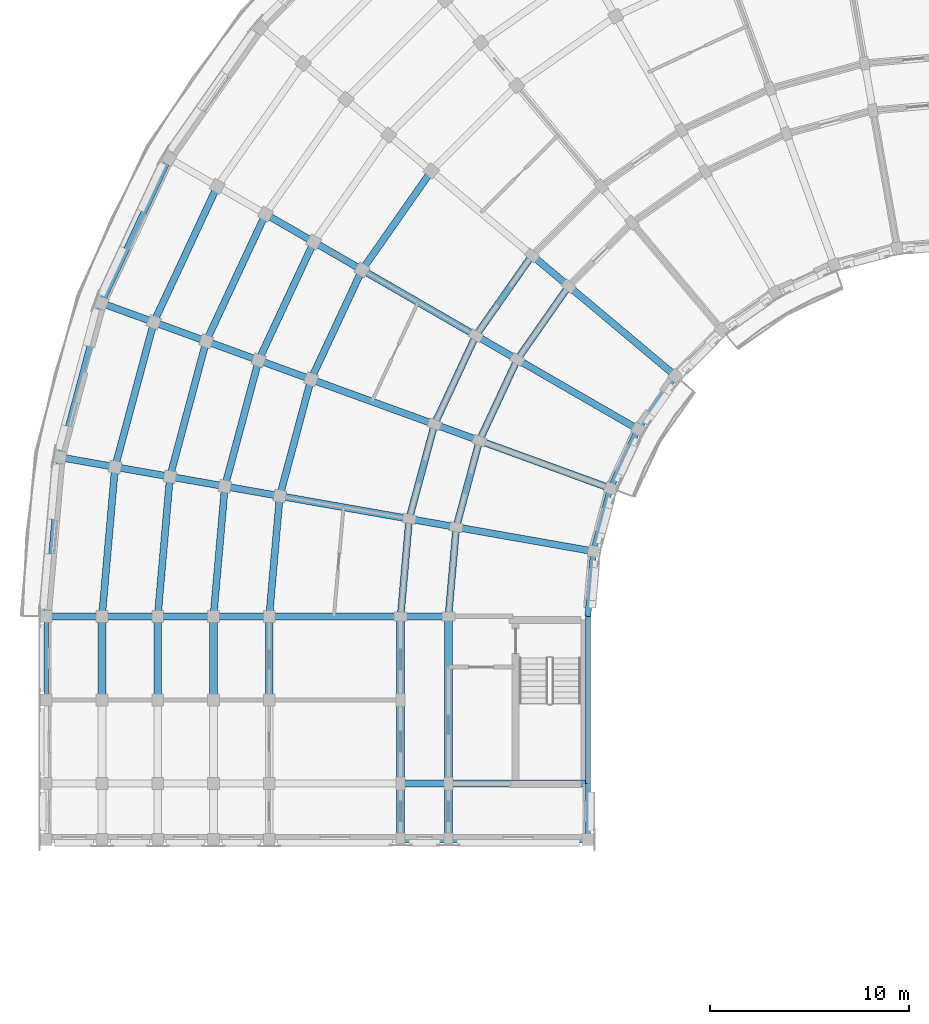
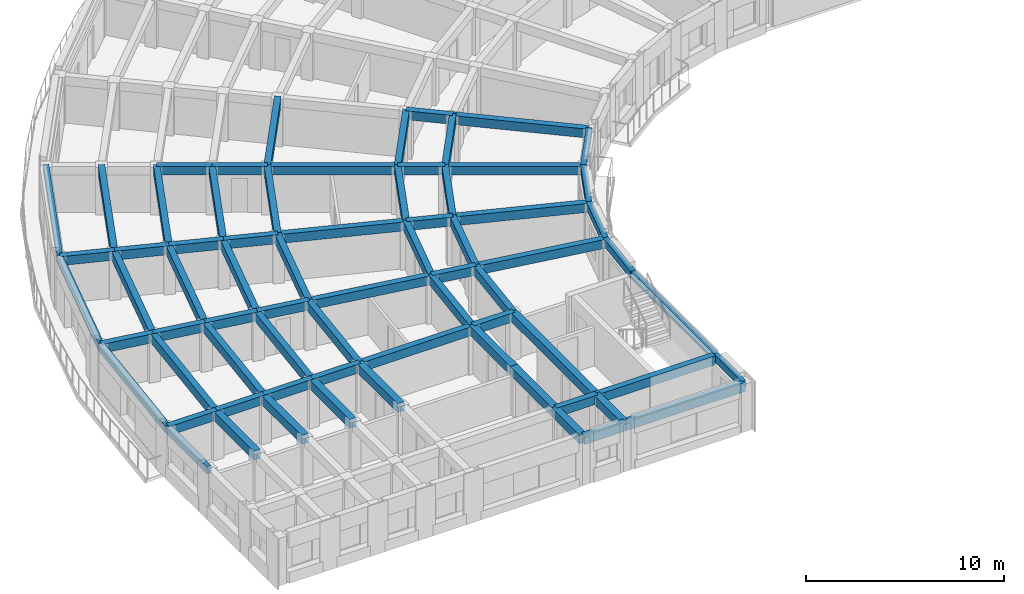
# One storey, part 4 of 41: 71 beams.
"""IFC4 building model written with IfcOpenShell, lengths in metres."""

from ifc_helpers import new_model, si_unit, direction, frame, origin, origin_2d, place, context, subcontext, project, spatial, rectangle, extrude, material, material_profile, profile_set, type_object, element, save


model = new_model("IFC4")

# Units and contexts
model_context = context("Model", 3, precision=1e-05, world=origin(), true_north=direction((0.0, 1.0)))
body_context = subcontext(model_context, "Body", "Model", "MODEL_VIEW")
ifc_project = project(units=[si_unit("LENGTHUNIT", "METRE"), si_unit("AREAUNIT", "SQUARE_METRE"), si_unit("VOLUMEUNIT", "CUBIC_METRE"), si_unit("PLANEANGLEUNIT", "RADIAN"), si_unit("MASSUNIT", "GRAM", prefix="KILO")], contexts=[model_context])

# Site, building, storey
site_placement = place(None, origin())
site = spatial("IfcSite", under=ifc_project, at=site_placement, CompositionType="ELEMENT")
building_placement = place(site_placement, origin())
building = spatial("IfcBuilding", under=site, at=building_placement, Name="Kiranvali Square Residences", CompositionType="ELEMENT")
storey_placement = place(building_placement, frame((0.0, 0.0, 33.89990234375)))
storey = spatial("IfcBuildingStorey", under=building, at=storey_placement, Name="L10", CompositionType="ELEMENT", Elevation=33.89990234375)

# Beams
ifc_material_1 = material(Name="Concrete M40 (40 MPa)", Category="concrete")
ifc_material_profile_1 = material_profile(ifc_material_1, rectangle(XDim=0.35009765625, YDim=0.550048828125, at=origin_2d()), Name="RC 350x550")
ifc_profile_set_1 = profile_set([ifc_material_profile_1], Name="Concrete M40 (40 MPa)")
beam_type_1 = type_object("IfcBeamType", Name="BM-M40-350x550", PredefinedType="BEAM", material=ifc_profile_set_1)
beam_1_placement = place(storey_placement, frame((28.43603515625, 104.384033203125, 2.655029296875), z_axis=(-0.573571637217, -0.819155404658, 0.0), x_axis=(0.819155404658, -0.573571637217, 0.0)))
element("IfcBeam", 1, at=beam_1_placement, inside=storey, type_object=beam_type_1, Name="L10 beam BM-A-L10-C05-R1", PredefinedType="BEAM", context=body_context, shape_type="SweptSolid", body=[
    extrude(rectangle(XDim=0.35009765625, YDim=0.550048828125, at=origin_2d()), origin(), (0.0, 0.0, 1.0), 4.497314453125),
])
beam_2_placement = place(storey_placement, frame((26.59765625, 105.926513671875, 2.655029296875), z_axis=(-0.573592335331, -0.819140911474, 0.0), x_axis=(0.819140911474, -0.573592335331, 0.0)))
element("IfcBeam", 2, at=beam_2_placement, inside=storey, type_object=beam_type_1, Name="L10 beam BM-A-L10-C05-R2", PredefinedType="BEAM", context=body_context, shape_type="SweptSolid", body=[
    extrude(rectangle(XDim=0.35009765625, YDim=0.550048828125, at=origin_2d()), origin(), (0.0, 0.0, 1.0), 4.915771484375),
])
beam_3_placement = place(storey_placement, frame((21.541748046875, 110.1689453125, 2.655029296875), z_axis=(-0.573594691504, -0.81913926159, 0.0), x_axis=(0.81913926159, -0.573594691504, 0.0)))
element("IfcBeam", 3, at=beam_3_placement, inside=storey, type_object=beam_type_1, Name="L10 beam BM-A-L10-C05-R3", PredefinedType="BEAM", context=body_context, shape_type="SweptSolid", body=[
    extrude(rectangle(XDim=0.35009765625, YDim=0.550048828125, at=origin_2d()), origin(), (0.0, 0.0, 1.0), 6.066162109375),
])
beam_4_placement = place(storey_placement, frame((25.8564453125, 100.699951171875, 2.655029296875), z_axis=(-0.422617978463, -0.906307919131, 0.0), x_axis=(0.906307919131, -0.422617978463, 0.0)))
element("IfcBeam", 4, at=beam_4_placement, inside=storey, type_object=beam_type_1, Name="L10 beam BM-A-L10-C06-R1", PredefinedType="BEAM", context=body_context, shape_type="SweptSolid", body=[
    extrude(rectangle(XDim=0.35009765625, YDim=0.550048828125, at=origin_2d()), origin(), (0.0, 0.0, 1.0), 4.497314453125),
])
beam_5_placement = place(storey_placement, frame((23.778076171875, 101.89990234375, 2.655029296875), z_axis=(-0.422629854778, -0.906302381024, 0.0), x_axis=(0.906302381024, -0.422629854778, 0.0)))
element("IfcBeam", 5, at=beam_5_placement, inside=storey, type_object=beam_type_1, Name="L10 beam BM-A-L10-C06-R2", PredefinedType="BEAM", context=body_context, shape_type="SweptSolid", body=[
    extrude(rectangle(XDim=0.35009765625, YDim=0.550048828125, at=origin_2d()), origin(), (0.0, 0.0, 1.0), 4.915283203125),
])
beam_6_placement = place(storey_placement, frame((18.062255859375, 105.199951171875, 2.655029296875), z_axis=(-0.42260781991, -0.906312656069, 0.0), x_axis=(0.906312656069, -0.42260781991, 0.0)))
element("IfcBeam", 6, at=beam_6_placement, inside=storey, type_object=beam_type_1, Name="L10 beam BM-A-L10-C06-R3", PredefinedType="BEAM", context=body_context, shape_type="SweptSolid", body=[
    extrude(rectangle(XDim=0.35009765625, YDim=0.550048828125, at=origin_2d()), origin(), (0.0, 0.0, 1.0), 6.06591796875),
])
beam_7_placement = place(storey_placement, frame((15.637451171875, 106.60009765625, 2.655029296875), z_axis=(-0.422595876255, -0.906318225223, 0.0), x_axis=(0.906318225223, -0.422595876255, 0.0)))
element("IfcBeam", 7, at=beam_7_placement, inside=storey, type_object=beam_type_1, Name="L10 beam BM-A-L10-C06-R4", PredefinedType="BEAM", context=body_context, shape_type="SweptSolid", body=[
    extrude(rectangle(XDim=0.35009765625, YDim=0.550048828125, at=origin_2d()), origin(), (0.0, 0.0, 1.0), 6.55419921875),
])
beam_8_placement = place(storey_placement, frame((13.212646484375, 108.0, 2.655029296875), z_axis=(-0.422640621205, -0.906297360311, 0.0), x_axis=(0.906297360311, -0.422640621205, 0.0)))
element("IfcBeam", 8, at=beam_8_placement, inside=storey, type_object=beam_type_1, Name="L10 beam BM-A-L10-C06-R5", PredefinedType="BEAM", context=body_context, shape_type="SweptSolid", body=[
    extrude(rectangle(XDim=0.35009765625, YDim=0.550048828125, at=origin_2d()), origin(), (0.0, 0.0, 1.0), 7.042236328125),
])
beam_9_placement = place(storey_placement, frame((10.78759765625, 109.39990234375, 2.655029296875), z_axis=(-0.422613886933, -0.90630982703, 0.0), x_axis=(0.90630982703, -0.422613886933, 0.0)))
element("IfcBeam", 9, at=beam_9_placement, inside=storey, type_object=beam_type_1, Name="L10 beam BM-A-L10-C06-R6", PredefinedType="BEAM", context=body_context, shape_type="SweptSolid", body=[
    extrude(rectangle(XDim=0.35009765625, YDim=0.550048828125, at=origin_2d()), origin(), (0.0, 0.0, 1.0), 7.5302734375),
])
beam_10_placement = place(storey_placement, frame((23.955810546875, 96.6240234375, 2.655029296875), z_axis=(-0.258787642463, -0.965934240054, 0.0), x_axis=(0.965934240054, -0.258787642463, 0.0)))
element("IfcBeam", 10, at=beam_10_placement, inside=storey, type_object=beam_type_1, Name="L10 beam BM-A-L10-C07-R1", PredefinedType="BEAM", context=body_context, shape_type="SweptSolid", body=[
    extrude(rectangle(XDim=0.35009765625, YDim=0.550048828125, at=origin_2d()), origin(), (0.0, 0.0, 1.0), 4.497314453125),
])
beam_11_placement = place(storey_placement, frame((21.70068359375, 97.445068359375, 2.655029296875), z_axis=(-0.258803112091, -0.965930095386, 0.0), x_axis=(0.965930095386, -0.258803112091, 0.0)))
element("IfcBeam", 11, at=beam_11_placement, inside=storey, type_object=beam_type_1, Name="L10 beam BM-A-L10-C07-R2", PredefinedType="BEAM", context=body_context, shape_type="SweptSolid", body=[
    extrude(rectangle(XDim=0.35009765625, YDim=0.550048828125, at=origin_2d()), origin(), (0.0, 0.0, 1.0), 4.915771484375),
])
beam_12_placement = place(storey_placement, frame((15.498779296875, 99.702392578125, 2.655029296875), z_axis=(-0.258827283048, -0.965923618901, 0.0), x_axis=(0.965923618901, -0.258827283048, 0.0)))
element("IfcBeam", 12, at=beam_12_placement, inside=storey, type_object=beam_type_1, Name="L10 beam BM-A-L10-C07-R3", PredefinedType="BEAM", context=body_context, shape_type="SweptSolid", body=[
    extrude(rectangle(XDim=0.35009765625, YDim=0.550048828125, at=origin_2d()), origin(), (0.0, 0.0, 1.0), 6.066162109375),
])
beam_13_placement = place(storey_placement, frame((12.86767578125, 100.659912109375, 2.655029296875), z_axis=(-0.258847178297, -0.965918287583, 0.0), x_axis=(0.965918287583, -0.258847178297, 0.0)))
element("IfcBeam", 13, at=beam_13_placement, inside=storey, type_object=beam_type_1, Name="L10 beam BM-A-L10-C07-R4", PredefinedType="BEAM", context=body_context, shape_type="SweptSolid", body=[
    extrude(rectangle(XDim=0.35009765625, YDim=0.550048828125, at=origin_2d()), origin(), (0.0, 0.0, 1.0), 6.55419921875),
])
beam_14_placement = place(storey_placement, frame((10.236328125, 101.61767578125, 2.655029296875), z_axis=(-0.258799624492, -0.965931029817, 0.0), x_axis=(0.965931029817, -0.258799624492, 0.0)))
element("IfcBeam", 14, at=beam_14_placement, inside=storey, type_object=beam_type_1, Name="L10 beam BM-A-L10-C07-R5", PredefinedType="BEAM", context=body_context, shape_type="SweptSolid", body=[
    extrude(rectangle(XDim=0.35009765625, YDim=0.550048828125, at=origin_2d()), origin(), (0.0, 0.0, 1.0), 7.042236328125),
])
beam_15_placement = place(storey_placement, frame((7.605224609375, 102.5751953125, 2.655029296875), z_axis=(-0.258818733833, -0.965925909693, 0.0), x_axis=(0.965925909693, -0.258818733833, 0.0)))
element("IfcBeam", 15, at=beam_15_placement, inside=storey, type_object=beam_type_1, Name="L10 beam BM-A-L10-C07-R6", PredefinedType="BEAM", context=body_context, shape_type="SweptSolid", body=[
    extrude(rectangle(XDim=0.35009765625, YDim=0.550048828125, at=origin_2d()), origin(), (0.0, 0.0, 1.0), 7.5302734375),
])
beam_16_placement = place(storey_placement, frame((22.7919921875, 92.280029296875, 2.655029296875), z_axis=(-0.087187153726, -0.996191949488, 0.0), x_axis=(0.996191949488, -0.087187153726, 0.0)))
element("IfcBeam", 16, at=beam_16_placement, inside=storey, type_object=beam_type_1, Name="L10 beam BM-A-L10-C08-R1", PredefinedType="BEAM", context=body_context, shape_type="SweptSolid", body=[
    extrude(rectangle(XDim=0.35009765625, YDim=0.550048828125, at=origin_2d()), origin(), (0.0, 0.0, 1.0), 4.4970703125),
])
beam_17_placement = place(storey_placement, frame((20.428466796875, 92.69677734375, 2.655029296875), z_axis=(-0.087167566415, -0.996193663584, 0.0), x_axis=(0.996193663584, -0.087167566415, 0.0)))
element("IfcBeam", 17, at=beam_17_placement, inside=storey, type_object=beam_type_1, Name="L10 beam BM-A-L10-C08-R2", PredefinedType="BEAM", context=body_context, shape_type="SweptSolid", body=[
    extrude(rectangle(XDim=0.35009765625, YDim=0.550048828125, at=origin_2d()), origin(), (0.0, 0.0, 1.0), 4.91552734375),
])
beam_18_placement = place(storey_placement, frame((13.9287109375, 93.843017578125, 2.655029296875), z_axis=(-0.087174938512, -0.996193018494, 0.0), x_axis=(0.996193018494, -0.087174938512, 0.0)))
element("IfcBeam", 18, at=beam_18_placement, inside=storey, type_object=beam_type_1, Name="L10 beam BM-A-L10-C08-R3", PredefinedType="BEAM", context=body_context, shape_type="SweptSolid", body=[
    extrude(rectangle(XDim=0.35009765625, YDim=0.550048828125, at=origin_2d()), origin(), (0.0, 0.0, 1.0), 6.066162109375),
])
beam_19_placement = place(storey_placement, frame((11.171142578125, 94.3291015625, 2.655029296875), z_axis=(-0.0871295204, -0.996196991902, 0.0), x_axis=(0.996196991902, -0.0871295204, 0.0)))
element("IfcBeam", 19, at=beam_19_placement, inside=storey, type_object=beam_type_1, Name="L10 beam BM-A-L10-C08-R4", PredefinedType="BEAM", context=body_context, shape_type="SweptSolid", body=[
    extrude(rectangle(XDim=0.35009765625, YDim=0.550048828125, at=origin_2d()), origin(), (0.0, 0.0, 1.0), 6.553955078125),
])
beam_20_placement = place(storey_placement, frame((8.413818359375, 94.8154296875, 2.655029296875), z_axis=(-0.087156198737, -0.996194658198, 0.0), x_axis=(0.996194658198, -0.087156198737, 0.0)))
element("IfcBeam", 20, at=beam_20_placement, inside=storey, type_object=beam_type_1, Name="L10 beam BM-A-L10-C08-R5", PredefinedType="BEAM", context=body_context, shape_type="SweptSolid", body=[
    extrude(rectangle(XDim=0.35009765625, YDim=0.550048828125, at=origin_2d()), origin(), (0.0, 0.0, 1.0), 7.042236328125),
])
beam_21_placement = place(storey_placement, frame((5.65625, 95.301513671875, 2.655029296875), z_axis=(-0.087150058103, -0.996195195417, 0.0), x_axis=(0.996195195417, -0.087150058103, 0.0)))
element("IfcBeam", 21, at=beam_21_placement, inside=storey, type_object=beam_type_1, Name="L10 beam BM-A-L10-C08-R6", PredefinedType="BEAM", context=body_context, shape_type="SweptSolid", body=[
    extrude(rectangle(XDim=0.35009765625, YDim=0.550048828125, at=origin_2d()), origin(), (0.0, 0.0, 1.0), 7.530029296875),
])
beam_22_placement = place(storey_placement, frame((33.79833984375, 99.884521484375, 2.655029296875), z_axis=(-0.766044173478, 0.642787931032, 0.0), x_axis=(-0.642787931032, -0.766044173478, 0.0)))
element("IfcBeam", 22, at=beam_22_placement, inside=storey, type_object=beam_type_1, Name="L10 beam BM-A-L10-RAD05-01", PredefinedType="BEAM", context=body_context, shape_type="SweptSolid", body=[
    extrude(rectangle(XDim=0.35009765625, YDim=0.550048828125, at=origin_2d()), origin(), (0.0, 0.0, 1.0), 7.0),
])
beam_23_placement = place(storey_placement, frame((28.43603515625, 104.384033203125, 2.655029296875), z_axis=(-0.766065493671, 0.642762521781, 0.0), x_axis=(-0.642762521781, -0.766065493671, 0.0)))
element("IfcBeam", 23, at=beam_23_placement, inside=storey, type_object=beam_type_1, Name="L10 beam BM-A-L10-RAD05-12", PredefinedType="BEAM", context=body_context, shape_type="SweptSolid", body=[
    extrude(rectangle(XDim=0.35009765625, YDim=0.550048828125, at=origin_2d()), origin(), (0.0, 0.0, 1.0), 2.399658203125),
])
beam_24_placement = place(storey_placement, frame((31.918701171875, 97.199951171875, 2.655029296875), z_axis=(-0.866028190633, 0.499995173006, 0.0), x_axis=(-0.499995173006, -0.866028190633, 0.0)))
element("IfcBeam", 24, at=beam_24_placement, inside=storey, type_object=beam_type_1, Name="L10 beam BM-A-L10-RAD06-01", PredefinedType="BEAM", context=body_context, shape_type="SweptSolid", body=[
    extrude(rectangle(XDim=0.35009765625, YDim=0.550048828125, at=origin_2d()), origin(), (0.0, 0.0, 1.0), 7.0),
])
beam_25_placement = place(storey_placement, frame((25.8564453125, 100.699951171875, 2.655029296875), z_axis=(-0.866024647952, 0.500001309137, 0.0), x_axis=(-0.500001309137, -0.866024647952, 0.0)))
element("IfcBeam", 25, at=beam_25_placement, inside=storey, type_object=beam_type_1, Name="L10 beam BM-A-L10-RAD06-12", PredefinedType="BEAM", context=body_context, shape_type="SweptSolid", body=[
    extrude(rectangle(XDim=0.35009765625, YDim=0.550048828125, at=origin_2d()), origin(), (0.0, 0.0, 1.0), 2.39990234375),
])
beam_26_placement = place(storey_placement, frame((23.778076171875, 101.89990234375, 2.655029296875), z_axis=(-0.866024194504, 0.500002094529, 0.0), x_axis=(-0.500002094529, -0.866024194504, 0.0)))
element("IfcBeam", 26, at=beam_26_placement, inside=storey, type_object=beam_type_1, Name="L10 beam BM-A-L10-RAD06-23", PredefinedType="BEAM", context=body_context, shape_type="SweptSolid", body=[
    extrude(rectangle(XDim=0.35009765625, YDim=0.550048828125, at=origin_2d()), origin(), (0.0, 0.0, 1.0), 6.60009765625),
])
beam_27_placement = place(storey_placement, frame((18.062255859375, 105.199951171875, 2.655029296875), z_axis=(-0.865996816683, 0.500049511043, 0.0), x_axis=(-0.500049511043, -0.865996816683, 0.0)))
element("IfcBeam", 27, at=beam_27_placement, inside=storey, type_object=beam_type_1, Name="L10 beam BM-A-L10-RAD06-34", PredefinedType="BEAM", context=body_context, shape_type="SweptSolid", body=[
    extrude(rectangle(XDim=0.35009765625, YDim=0.550048828125, at=origin_2d()), origin(), (0.0, 0.0, 1.0), 2.800048828125),
])
beam_28_placement = place(storey_placement, frame((15.637451171875, 106.60009765625, 2.655029296875), z_axis=(-0.866034573852, 0.49998411664, 0.0), x_axis=(-0.49998411664, -0.866034573852, 0.0)))
element("IfcBeam", 28, at=beam_28_placement, inside=storey, type_object=beam_type_1, Name="L10 beam BM-A-L10-RAD06-45", PredefinedType="BEAM", context=body_context, shape_type="SweptSolid", body=[
    extrude(rectangle(XDim=0.35009765625, YDim=0.550048828125, at=origin_2d()), origin(), (0.0, 0.0, 1.0), 2.7998046875),
])
beam_29_placement = place(storey_placement, frame((30.53369140625, 94.22998046875, 2.655029296875), z_axis=(-0.939697665127, 0.342006283793, 0.0), x_axis=(-0.342006283793, -0.939697665127, 0.0)))
element("IfcBeam", 29, at=beam_29_placement, inside=storey, type_object=beam_type_1, Name="L10 beam BM-A-L10-RAD07-01", PredefinedType="BEAM", context=body_context, shape_type="SweptSolid", body=[
    extrude(rectangle(XDim=0.35009765625, YDim=0.550048828125, at=origin_2d()), origin(), (0.0, 0.0, 1.0), 7.0),
])
beam_30_placement = place(storey_placement, frame((23.955810546875, 96.6240234375, 2.655029296875), z_axis=(-0.939659694648, 0.342110593602, 0.0), x_axis=(-0.342110593602, -0.939659694648, 0.0)))
element("IfcBeam", 30, at=beam_30_placement, inside=storey, type_object=beam_type_1, Name="L10 beam BM-A-L10-RAD07-12", PredefinedType="BEAM", context=body_context, shape_type="SweptSolid", body=[
    extrude(rectangle(XDim=0.35009765625, YDim=0.550048828125, at=origin_2d()), origin(), (0.0, 0.0, 1.0), 2.39990234375),
])
beam_31_placement = place(storey_placement, frame((21.70068359375, 97.445068359375, 2.655029296875), z_axis=(-0.939691858249, 0.342022238372, 0.0), x_axis=(-0.342022238372, -0.939691858249, 0.0)))
element("IfcBeam", 31, at=beam_31_placement, inside=storey, type_object=beam_type_1, Name="L10 beam BM-A-L10-RAD07-23", PredefinedType="BEAM", context=body_context, shape_type="SweptSolid", body=[
    extrude(rectangle(XDim=0.35009765625, YDim=0.550048828125, at=origin_2d()), origin(), (0.0, 0.0, 1.0), 6.599853515625),
])
beam_32_placement = place(storey_placement, frame((15.498779296875, 99.702392578125, 2.655029296875), z_axis=(-0.93970683422, 0.341981089711, 0.0), x_axis=(-0.341981089711, -0.93970683422, 0.0)))
element("IfcBeam", 32, at=beam_32_placement, inside=storey, type_object=beam_type_1, Name="L10 beam BM-A-L10-RAD07-34", PredefinedType="BEAM", context=body_context, shape_type="SweptSolid", body=[
    extrude(rectangle(XDim=0.35009765625, YDim=0.550048828125, at=origin_2d()), origin(), (0.0, 0.0, 1.0), 2.7998046875),
])
beam_33_placement = place(storey_placement, frame((12.86767578125, 100.659912109375, 2.655029296875), z_axis=(-0.939689011208, 0.342030060398, 0.0), x_axis=(-0.342030060398, -0.939689011208, 0.0)))
element("IfcBeam", 33, at=beam_33_placement, inside=storey, type_object=beam_type_1, Name="L10 beam BM-A-L10-RAD07-45", PredefinedType="BEAM", context=body_context, shape_type="SweptSolid", body=[
    extrude(rectangle(XDim=0.35009765625, YDim=0.550048828125, at=origin_2d()), origin(), (0.0, 0.0, 1.0), 2.80029296875),
])
beam_34_placement = place(storey_placement, frame((10.236328125, 101.61767578125, 2.655029296875), z_axis=(-0.93970683422, 0.341981089711, 0.0), x_axis=(-0.341981089711, -0.93970683422, 0.0)))
element("IfcBeam", 34, at=beam_34_placement, inside=storey, type_object=beam_type_1, Name="L10 beam BM-A-L10-RAD07-56", PredefinedType="BEAM", context=body_context, shape_type="SweptSolid", body=[
    extrude(rectangle(XDim=0.35009765625, YDim=0.550048828125, at=origin_2d()), origin(), (0.0, 0.0, 1.0), 2.7998046875),
])
beam_35_placement = place(storey_placement, frame((7.605224609375, 102.5751953125, 2.655029296875), z_axis=(-0.939678810556, 0.342058084236, 0.0), x_axis=(-0.342058084236, -0.939678810556, 0.0)))
element("IfcBeam", 35, at=beam_35_placement, inside=storey, type_object=beam_type_1, Name="L10 beam BM-A-L10-RAD07-67", PredefinedType="BEAM", context=body_context, shape_type="SweptSolid", body=[
    extrude(rectangle(XDim=0.35009765625, YDim=0.550048828125, at=origin_2d()), origin(), (0.0, 0.0, 1.0), 2.800048828125),
])
beam_36_placement = place(storey_placement, frame((29.685546875, 91.064697265625, 2.655029296875), z_axis=(-0.984812337125, 0.173622177865, 0.0), x_axis=(-0.173622177865, -0.984812337125, 0.0)))
element("IfcBeam", 36, at=beam_36_placement, inside=storey, type_object=beam_type_1, Name="L10 beam BM-A-L10-RAD08-01", PredefinedType="BEAM", context=body_context, shape_type="SweptSolid", body=[
    extrude(rectangle(XDim=0.35009765625, YDim=0.550048828125, at=origin_2d()), origin(), (0.0, 0.0, 1.0), 6.999755859375),
])
beam_37_placement = place(storey_placement, frame((22.7919921875, 92.280029296875, 2.655029296875), z_axis=(-0.984808127031, 0.173646056486, 0.0), x_axis=(-0.173646056486, -0.984808127031, 0.0)))
element("IfcBeam", 37, at=beam_37_placement, inside=storey, type_object=beam_type_1, Name="L10 beam BM-A-L10-RAD08-12", PredefinedType="BEAM", context=body_context, shape_type="SweptSolid", body=[
    extrude(rectangle(XDim=0.35009765625, YDim=0.550048828125, at=origin_2d()), origin(), (0.0, 0.0, 1.0), 2.39990234375),
])
beam_38_placement = place(storey_placement, frame((20.428466796875, 92.69677734375, 2.655029296875), z_axis=(-0.984803661269, 0.173671381499, 0.0), x_axis=(-0.173671381499, -0.984803661269, 0.0)))
element("IfcBeam", 38, at=beam_38_placement, inside=storey, type_object=beam_type_1, Name="L10 beam BM-A-L10-RAD08-23", PredefinedType="BEAM", context=body_context, shape_type="SweptSolid", body=[
    extrude(rectangle(XDim=0.35009765625, YDim=0.550048828125, at=origin_2d()), origin(), (0.0, 0.0, 1.0), 6.60009765625),
])
beam_39_placement = place(storey_placement, frame((13.9287109375, 93.843017578125, 2.655029296875), z_axis=(-0.984816895441, 0.173596320392, 0.0), x_axis=(-0.173596320392, -0.984816895441, 0.0)))
element("IfcBeam", 39, at=beam_39_placement, inside=storey, type_object=beam_type_1, Name="L10 beam BM-A-L10-RAD08-34", PredefinedType="BEAM", context=body_context, shape_type="SweptSolid", body=[
    extrude(rectangle(XDim=0.35009765625, YDim=0.550048828125, at=origin_2d()), origin(), (0.0, 0.0, 1.0), 2.800048828125),
])
beam_40_placement = place(storey_placement, frame((11.171142578125, 94.3291015625, 2.655029296875), z_axis=(-0.984799355489, 0.173695795656, 0.0), x_axis=(-0.173695795656, -0.984799355489, 0.0)))
element("IfcBeam", 40, at=beam_40_placement, inside=storey, type_object=beam_type_1, Name="L10 beam BM-A-L10-RAD08-45", PredefinedType="BEAM", context=body_context, shape_type="SweptSolid", body=[
    extrude(rectangle(XDim=0.35009765625, YDim=0.550048828125, at=origin_2d()), origin(), (0.0, 0.0, 1.0), 2.7998046875),
])
beam_41_placement = place(storey_placement, frame((8.413818359375, 94.8154296875, 2.655029296875), z_axis=(-0.984816895441, 0.173596320392, 0.0), x_axis=(-0.173596320392, -0.984816895441, 0.0)))
element("IfcBeam", 41, at=beam_41_placement, inside=storey, type_object=beam_type_1, Name="L10 beam BM-A-L10-RAD08-56", PredefinedType="BEAM", context=body_context, shape_type="SweptSolid", body=[
    extrude(rectangle(XDim=0.35009765625, YDim=0.550048828125, at=origin_2d()), origin(), (0.0, 0.0, 1.0), 2.800048828125),
])
beam_42_placement = place(storey_placement, frame((5.65625, 95.301513671875, 2.655029296875), z_axis=(-0.984799355489, 0.173695795656, 0.0), x_axis=(-0.173695795656, -0.984799355489, 0.0)))
element("IfcBeam", 42, at=beam_42_placement, inside=storey, type_object=beam_type_1, Name="L10 beam BM-A-L10-RAD08-67", PredefinedType="BEAM", context=body_context, shape_type="SweptSolid", body=[
    extrude(rectangle(XDim=0.35009765625, YDim=0.550048828125, at=origin_2d()), origin(), (0.0, 0.0, 1.0), 2.7998046875),
])
beam_43_placement = place(storey_placement, frame((22.39990234375, 87.800048828125, 2.655029296875), z_axis=(-1.0, 0.0, 0.0), x_axis=(0.0, -1.0, 0.0)))
element("IfcBeam", 43, at=beam_43_placement, inside=storey, type_object=beam_type_1, Name="L10 beam BM-A-L10-A2T0-12", PredefinedType="BEAM", context=body_context, shape_type="SweptSolid", body=[
    extrude(rectangle(XDim=0.35009765625, YDim=0.550048828125, at=origin_2d()), origin(), (0.0, 0.0, 1.0), 2.39990234375),
])
beam_44_placement = place(storey_placement, frame((20.0, 87.800048828125, 2.655029296875), z_axis=(-1.0, 0.0, 0.0), x_axis=(0.0, -1.0, 0.0)))
element("IfcBeam", 44, at=beam_44_placement, inside=storey, type_object=beam_type_1, Name="L10 beam BM-A-L10-A2T0-23", PredefinedType="BEAM", context=body_context, shape_type="SweptSolid", body=[
    extrude(rectangle(XDim=0.35009765625, YDim=0.550048828125, at=origin_2d()), origin(), (0.0, 0.0, 1.0), 6.60009765625),
])
beam_45_placement = place(storey_placement, frame((13.39990234375, 87.800048828125, 2.655029296875), z_axis=(-1.0, 0.0, 0.0), x_axis=(0.0, -1.0, 0.0)))
element("IfcBeam", 45, at=beam_45_placement, inside=storey, type_object=beam_type_1, Name="L10 beam BM-A-L10-A2T0-34", PredefinedType="BEAM", context=body_context, shape_type="SweptSolid", body=[
    extrude(rectangle(XDim=0.35009765625, YDim=0.550048828125, at=origin_2d()), origin(), (0.0, 0.0, 1.0), 2.7998046875),
])
for number, where, z_axis, x_axis, name in (
    (46, (10.60009765625, 87.800048828125, 2.655029296875), (-1.0, 0.0, 0.0), (0.0, -1.0, 0.0), "L10 beam BM-A-L10-A2T0-45"),
    (47, (7.800048828125, 87.800048828125, 2.655029296875), (-1.0, 0.0, 0.0), (0.0, -1.0, 0.0), "L10 beam BM-A-L10-A2T0-56"),
    (48, (5.0, 87.800048828125, 2.655029296875), (-1.0, 0.0, 0.0), (0.0, -1.0, 0.0), "L10 beam BM-A-L10-A2T0-67"),
):
    element("IfcBeam", number, at=place(storey_placement, frame(where, z_axis=z_axis, x_axis=x_axis)), inside=storey, type_object=beam_type_1, Name=name, PredefinedType="BEAM", context=body_context, shape_type="SweptSolid", body=[
        extrude(rectangle(XDim=0.35009765625, YDim=0.550048828125, at=origin_2d()), origin(), (0.0, 0.0, 1.0), 2.800048828125),
    ])
beam_46_placement = place(storey_placement, frame((29.39990234375, 79.39990234375, 2.655029296875), z_axis=(-1.0, 0.0, 0.0), x_axis=(0.0, -1.0, 0.0)))
element("IfcBeam", 49, at=beam_46_placement, inside=storey, type_object=beam_type_1, Name="L10 beam BM-A-L10-A2T1-01", PredefinedType="BEAM", context=body_context, shape_type="SweptSolid", body=[
    extrude(rectangle(XDim=0.35009765625, YDim=0.550048828125, at=origin_2d()), origin(), (0.0, 0.0, 1.0), 7.0),
])
beam_47_placement = place(storey_placement, frame((22.39990234375, 79.39990234375, 2.655029296875), z_axis=(-1.0, 0.0, 0.0), x_axis=(0.0, -1.0, 0.0)))
element("IfcBeam", 50, at=beam_47_placement, inside=storey, type_object=beam_type_1, Name="L10 beam BM-A-L10-A2T1-12", PredefinedType="BEAM", context=body_context, shape_type="SweptSolid", body=[
    extrude(rectangle(XDim=0.35009765625, YDim=0.550048828125, at=origin_2d()), origin(), (0.0, 0.0, 1.0), 2.39990234375),
])
beam_48_placement = place(storey_placement, frame((29.39990234375, 76.60009765625, 2.655029296875), z_axis=(-1.0, 0.0, 0.0), x_axis=(0.0, -1.0, 0.0)))
element("IfcBeam", 51, at=beam_48_placement, inside=storey, type_object=beam_type_1, Name="L10 beam BM-A-L10-A2T2-01", PredefinedType="BEAM", context=body_context, shape_type="SweptSolid", body=[
    extrude(rectangle(XDim=0.35009765625, YDim=0.550048828125, at=origin_2d()), origin(), (0.0, 0.0, 1.0), 7.0),
])
beam_49_placement = place(storey_placement, frame((22.39990234375, 76.60009765625, 2.655029296875), z_axis=(-1.0, 0.0, 0.0), x_axis=(0.0, -1.0, 0.0)))
element("IfcBeam", 52, at=beam_49_placement, inside=storey, type_object=beam_type_1, Name="L10 beam BM-A-L10-A2T2-12", PredefinedType="BEAM", context=body_context, shape_type="SweptSolid", body=[
    extrude(rectangle(XDim=0.35009765625, YDim=0.550048828125, at=origin_2d()), origin(), (0.0, 0.0, 1.0), 2.39990234375),
])
ifc_material_2 = material(Name="Concrete M45 (45 MPa)", Category="concrete")
ifc_material_profile_2 = material_profile(ifc_material_2, rectangle(XDim=0.39990234375, YDim=0.550048828125, at=origin_2d()), Name="RC 400x550")
ifc_profile_set_2 = profile_set([ifc_material_profile_2], Name="Concrete M45 (45 MPa)")
beam_type_2 = type_object("IfcBeamType", Name="BM-M45-400x550", PredefinedType="BEAM", material=ifc_profile_set_2)
beam_50_placement = place(storey_placement, frame((22.39990234375, 87.800048828125, 2.655029296875), z_axis=(0.0, -1.0, 0.0), x_axis=(1.0, 0.0, 0.0)))
element("IfcBeam", 53, at=beam_50_placement, inside=storey, type_object=beam_type_2, Name="L10 beam BM-A-L10-A2V0-R1", PredefinedType="BEAM", context=body_context, shape_type="SweptSolid", body=[
    extrude(rectangle(XDim=0.39990234375, YDim=0.550048828125, at=origin_2d()), origin(), (0.0, 0.0, 1.0), 8.400146484375),
])
beam_51_placement = place(storey_placement, frame((22.39990234375, 79.39990234375, 2.655029296875), z_axis=(0.0, -1.0, 0.0), x_axis=(1.0, 0.0, 0.0)))
element("IfcBeam", 54, at=beam_51_placement, inside=storey, type_object=beam_type_2, Name="L10 beam BM-A-L10-A2V1-R1", PredefinedType="BEAM", context=body_context, shape_type="SweptSolid", body=[
    extrude(rectangle(XDim=0.39990234375, YDim=0.550048828125, at=origin_2d()), origin(), (0.0, 0.0, 1.0), 2.7998046875),
])
beam_52_placement = place(storey_placement, frame((20.0, 87.800048828125, 2.655029296875), z_axis=(0.0, -1.0, 0.0), x_axis=(1.0, 0.0, 0.0)))
element("IfcBeam", 55, at=beam_52_placement, inside=storey, type_object=beam_type_2, Name="L10 beam BM-A-L10-A2V0-R2", PredefinedType="BEAM", context=body_context, shape_type="SweptSolid", body=[
    extrude(rectangle(XDim=0.39990234375, YDim=0.550048828125, at=origin_2d()), origin(), (0.0, 0.0, 1.0), 4.199951171875),
])
beam_53_placement = place(storey_placement, frame((20.0, 83.60009765625, 2.655029296875), z_axis=(0.0, -1.0, 0.0), x_axis=(1.0, 0.0, 0.0)))
element("IfcBeam", 56, at=beam_53_placement, inside=storey, type_object=beam_type_2, Name="L10 beam BM-A-L10-A2V1-R2", PredefinedType="BEAM", context=body_context, shape_type="SweptSolid", body=[
    extrude(rectangle(XDim=0.39990234375, YDim=0.550048828125, at=origin_2d()), origin(), (0.0, 0.0, 1.0), 4.2001953125),
])
beam_54_placement = place(storey_placement, frame((20.0, 79.39990234375, 2.655029296875), z_axis=(0.0, -1.0, 0.0), x_axis=(1.0, 0.0, 0.0)))
element("IfcBeam", 57, at=beam_54_placement, inside=storey, type_object=beam_type_2, Name="L10 beam BM-A-L10-A2V2-R2", PredefinedType="BEAM", context=body_context, shape_type="SweptSolid", body=[
    extrude(rectangle(XDim=0.39990234375, YDim=0.550048828125, at=origin_2d()), origin(), (0.0, 0.0, 1.0), 2.7998046875),
])
for number, where, z_axis, x_axis, name in (
    (58, (13.39990234375, 87.800048828125, 2.655029296875), (0.0, -1.0, 0.0), (1.0, 0.0, 0.0), "L10 beam BM-A-L10-A2V0-R3"),
    (59, (10.60009765625, 87.800048828125, 2.655029296875), (0.0, -1.0, 0.0), (1.0, 0.0, 0.0), "L10 beam BM-A-L10-A2V0-R4"),
    (60, (7.800048828125, 87.800048828125, 2.655029296875), (0.0, -1.0, 0.0), (1.0, 0.0, 0.0), "L10 beam BM-A-L10-A2V0-R5"),
    (61, (5.0, 87.800048828125, 2.655029296875), (0.0, -1.0, 0.0), (1.0, 0.0, 0.0), "L10 beam BM-A-L10-A2V0-R6"),
):
    element("IfcBeam", number, at=place(storey_placement, frame(where, z_axis=z_axis, x_axis=x_axis)), inside=storey, type_object=beam_type_2, Name=name, PredefinedType="BEAM", context=body_context, shape_type="SweptSolid", body=[
        extrude(rectangle(XDim=0.39990234375, YDim=0.550048828125, at=origin_2d()), origin(), (0.0, 0.0, 1.0), 4.199951171875),
    ])
ifc_material_profile_3 = material_profile(ifc_material_1, rectangle(XDim=0.25, YDim=0.449951171875, at=origin_2d()), Name="RC 250x450")
ifc_profile_set_3 = profile_set([ifc_material_profile_3], Name="Concrete M40 (40 MPa)")
beam_type_3 = type_object("IfcBeamType", Name="SPN-M40-250x450", PredefinedType="SPANDREL", material=ifc_profile_set_3)
beam_55_placement = place(storey_placement, frame((29.39990234375, 87.800048828125, 2.705078125), z_axis=(0.0, -1.0, 0.0), x_axis=(1.0, 0.0, 0.0)))
element("IfcBeam", 62, at=beam_55_placement, inside=storey, type_object=beam_type_3, Name="L10 beam BM-A-L10-A2V0-R0", PredefinedType="SPANDREL", context=body_context, shape_type="SweptSolid", body=[
    extrude(rectangle(XDim=0.25, YDim=0.449951171875, at=origin_2d()), origin(), (0.0, 0.0, 1.0), 8.400146484375),
])
beam_56_placement = place(storey_placement, frame((29.39990234375, 79.39990234375, 2.705078125), z_axis=(0.0, -1.0, 0.0), x_axis=(1.0, 0.0, 0.0)))
element("IfcBeam", 63, at=beam_56_placement, inside=storey, type_object=beam_type_3, Name="L10 beam BM-A-L10-A2V1-R0", PredefinedType="SPANDREL", context=body_context, shape_type="SweptSolid", body=[
    extrude(rectangle(XDim=0.25, YDim=0.449951171875, at=origin_2d()), origin(), (0.0, 0.0, 1.0), 2.7998046875),
])
beam_57_placement = place(storey_placement, frame((2.199951171875, 87.800048828125, 2.705078125), z_axis=(0.0, -1.0, 0.0), x_axis=(1.0, 0.0, 0.0)))
element("IfcBeam", 64, at=beam_57_placement, inside=storey, type_object=beam_type_3, Name="L10 beam BM-A-L10-A2V0-R7", PredefinedType="SPANDREL", context=body_context, shape_type="SweptSolid", body=[
    extrude(rectangle(XDim=0.25, YDim=0.449951171875, at=origin_2d()), origin(), (0.0, 0.0, 1.0), 4.199951171875),
])
ifc_material_profile_4 = material_profile(ifc_material_1, rectangle(XDim=0.300048828125, YDim=0.449951171875, at=origin_2d()), Name="RC 300x450")
ifc_profile_set_4 = profile_set([ifc_material_profile_4], Name="Concrete M40 (40 MPa)")
beam_type_4 = type_object("IfcBeamType", Name="SPN-M40-300x450", PredefinedType="SPANDREL", material=ifc_profile_set_4)
for number, where, z_axis, x_axis, name in (
    (65, (33.79833984375, 99.884521484375, 2.705078125), (-0.573552337269, -0.81916891812, 0.0), (0.81916891812, -0.573552337269, 0.0), "L10 beam BM-A-L10-C05-R0"),
    (66, (31.918701171875, 97.199951171875, 2.705078125), (-0.422640740585, -0.90629730464, 0.0), (0.90629730464, -0.422640740585, 0.0), "L10 beam BM-A-L10-C06-R0"),
):
    element("IfcBeam", number, at=place(storey_placement, frame(where, z_axis=z_axis, x_axis=x_axis)), inside=storey, type_object=beam_type_4, Name=name, PredefinedType="SPANDREL", context=body_context, shape_type="SweptSolid", body=[
        extrude(rectangle(XDim=0.300048828125, YDim=0.449951171875, at=origin_2d()), origin(), (0.0, 0.0, 1.0), 3.277099609375),
    ])
beam_58_placement = place(storey_placement, frame((8.36279296875, 110.800048828125, 2.705078125), z_axis=(-0.422615416827, -0.906309113636, 0.0), x_axis=(0.906309113636, -0.422615416827, 0.0)))
element("IfcBeam", 67, at=beam_58_placement, inside=storey, type_object=beam_type_4, Name="L10 beam BM-A-L10-C06-R7", PredefinedType="SPANDREL", context=body_context, shape_type="SweptSolid", body=[
    extrude(rectangle(XDim=0.300048828125, YDim=0.449951171875, at=origin_2d()), origin(), (0.0, 0.0, 1.0), 8.018310546875),
])
beam_59_placement = place(storey_placement, frame((30.53369140625, 94.22998046875, 2.705078125), z_axis=(-0.258821736607, -0.965925105099, 0.0), x_axis=(0.965925105099, -0.258821736607, 0.0)))
element("IfcBeam", 68, at=beam_59_placement, inside=storey, type_object=beam_type_4, Name="L10 beam BM-A-L10-C07-R0", PredefinedType="SPANDREL", context=body_context, shape_type="SweptSolid", body=[
    extrude(rectangle(XDim=0.300048828125, YDim=0.449951171875, at=origin_2d()), origin(), (0.0, 0.0, 1.0), 3.27685546875),
])
beam_60_placement = place(storey_placement, frame((4.97412109375, 103.532958984375, 2.705078125), z_axis=(-0.258807108475, -0.96592902462, 0.0), x_axis=(0.96592902462, -0.258807108475, 0.0)))
element("IfcBeam", 69, at=beam_60_placement, inside=storey, type_object=beam_type_4, Name="L10 beam BM-A-L10-C07-R7", PredefinedType="SPANDREL", context=body_context, shape_type="SweptSolid", body=[
    extrude(rectangle(XDim=0.300048828125, YDim=0.449951171875, at=origin_2d()), origin(), (0.0, 0.0, 1.0), 8.018310546875),
])
beam_61_placement = place(storey_placement, frame((29.685546875, 91.064697265625, 2.705078125), z_axis=(-0.087163253657, -0.996194040944, 0.0), x_axis=(0.996194040944, -0.087163253657, 0.0)))
element("IfcBeam", 70, at=beam_61_placement, inside=storey, type_object=beam_type_4, Name="L10 beam BM-A-L10-C08-R0", PredefinedType="SPANDREL", context=body_context, shape_type="SweptSolid", body=[
    extrude(rectangle(XDim=0.300048828125, YDim=0.449951171875, at=origin_2d()), origin(), (0.0, 0.0, 1.0), 3.277099609375),
])
beam_62_placement = place(storey_placement, frame((2.89892578125, 95.787841796875, 2.705078125), z_axis=(-0.087172238171, -0.996193254792, 0.0), x_axis=(0.996193254792, -0.087172238171, 0.0)))
element("IfcBeam", 71, at=beam_62_placement, inside=storey, type_object=beam_type_4, Name="L10 beam BM-A-L10-C08-R7", PredefinedType="SPANDREL", context=body_context, shape_type="SweptSolid", body=[
    extrude(rectangle(XDim=0.300048828125, YDim=0.449951171875, at=origin_2d()), origin(), (0.0, 0.0, 1.0), 8.018310546875),
])

save(model, "model.ifc")
